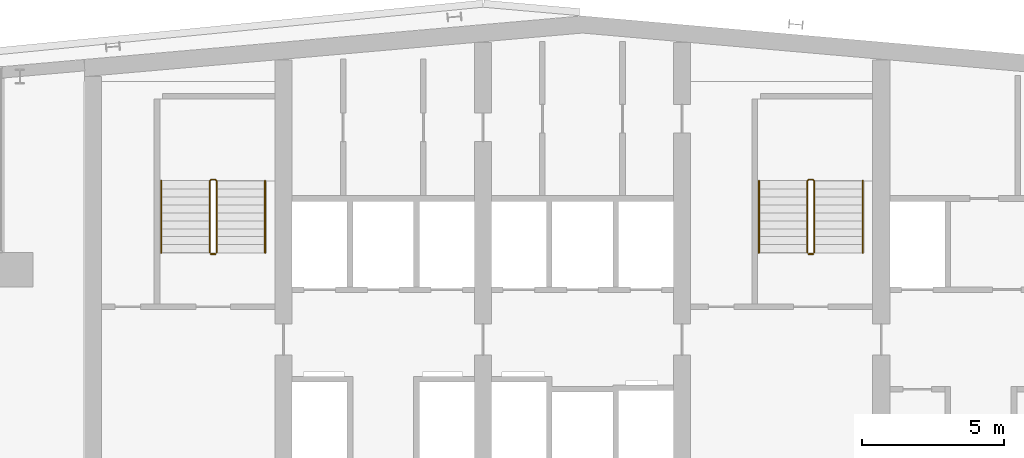
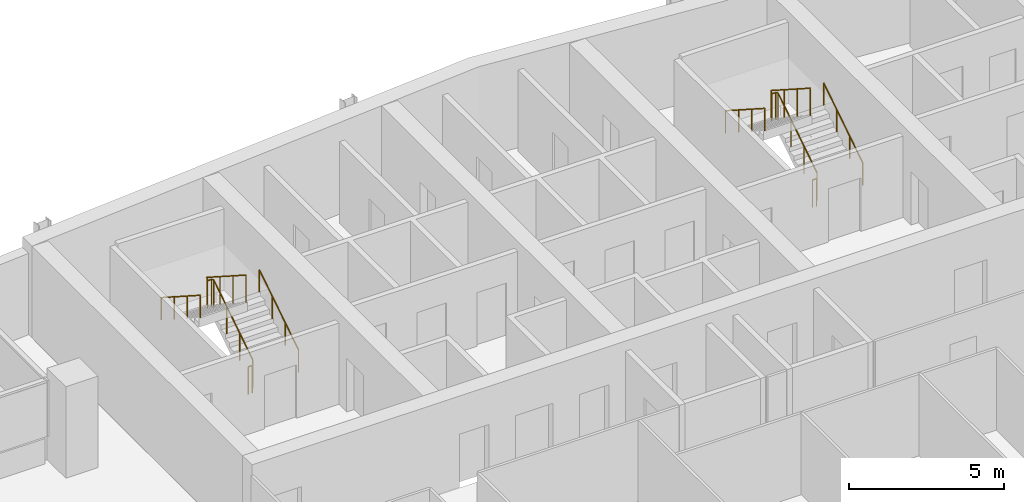
# One storey, part 27 of 27: 8 railings.
"""IFC4 building model written with IfcOpenShell, lengths in metres."""

from ifc_helpers import new_model, si_unit, direction, frame, origin, origin_2d, place, context, subcontext, project, spatial, circle, extrude, material, type_object, element, save


model = new_model("IFC4")

# Units and contexts
model_context = context("Model", 3, precision=1e-05, world=origin(), true_north=direction((0.0, 1.0)))
body_context = subcontext(model_context, "Body", "Model", "MODEL_VIEW")
ifc_project = project(units=[si_unit("LENGTHUNIT", "METRE"), si_unit("AREAUNIT", "SQUARE_METRE"), si_unit("VOLUMEUNIT", "CUBIC_METRE"), si_unit("PLANEANGLEUNIT", "RADIAN"), si_unit("MASSUNIT", "GRAM", prefix="KILO")], contexts=[model_context])

# Site, building, storey
site_placement = place(None, origin())
site = spatial("IfcSite", under=ifc_project, at=site_placement, CompositionType="ELEMENT")
building_placement = place(site_placement, origin())
building = spatial("IfcBuilding", under=site, at=building_placement, Name="Wharfspan Tower", CompositionType="ELEMENT")
storey_placement = place(building_placement, frame((0.0, 0.0, 207.100098)))
storey = spatial("IfcBuildingStorey", under=building, at=storey_placement, Name="L51", CompositionType="ELEMENT", Elevation=207.100098)

# Railings
ifc_material = material(Name="Steel S355J2", Category="steel")
railing_type_1 = type_object("IfcRailingType", Name="Stair guard 1100", PredefinedType="GUARDRAIL", material=ifc_material)
railing_1_placement = place(storey_placement, frame((27.649902, 42.0, 0.179932)))
element("IfcRailing", 1, at=railing_1_placement, inside=storey, type_object=railing_type_1, Name="L51 ST1 stair guard 1", PredefinedType="GUARDRAIL", context=body_context, shape_type="SweptSolid", body=[
    extrude(circle(Radius=0.023926, at=origin_2d()), frame((0.0, 0.0, 1.076172), z_axis=(0.0, 0.8412, 0.540725), x_axis=(-1.0, 0.0, 0.0)), (0.0, 0.0, 1.0), 2.99585),
    extrude(circle(Radius=0.023926, at=origin_2d()), frame((0.0, 2.52002, 2.695801), z_axis=(-0.705376, 0.708834, 0.0), x_axis=(-0.708834, -0.705376, 0.0)), (0.0, 0.0, 1.0), 0.070557),
    extrude(circle(Radius=0.023926, at=origin_2d()), frame((-0.049805, 2.570068, 2.695801), z_axis=(-1.0, 0.0, 0.0), x_axis=(0.0, -1.0, 0.0)), (0.0, 0.0, 1.0), 0.150146),
    extrude(circle(Radius=0.023926, at=origin_2d()), frame((-0.199951, 2.570068, 2.695801), z_axis=(-0.258544, -0.258544, 0.930758), x_axis=(0.707107, -0.707107, 0.0)), (0.0, 0.0, 1.0), 0.193604),
    extrude(circle(Radius=0.023926, at=origin_2d()), frame((-0.25, 2.52002, 2.875977), z_axis=(0.0, -0.8412, 0.540725), x_axis=(1.0, 0.0, 0.0)), (0.0, 0.0, 1.0), 2.99585),
    extrude(circle(Radius=0.020996, at=origin_2d()), origin(), (0.0, 0.0, 1.0), 1.052002),
    extrude(circle(Radius=0.020996, at=origin_2d()), frame((0.0, 0.840088, 0.540039)), (0.0, 0.0, 1.0), 1.052002),
    extrude(circle(Radius=0.020996, at=origin_2d()), frame((0.0, 1.679932, 1.079834)), (0.0, 0.0, 1.0), 1.052002),
    extrude(circle(Radius=0.020996, at=origin_2d()), frame((0.0, 2.52002, 1.619873)), (0.0, 0.0, 1.0), 1.052002),
    extrude(circle(Radius=0.020996, at=origin_2d()), frame((-0.049805, 2.570068, 1.619873)), (0.0, 0.0, 1.0), 1.052002),
    extrude(circle(Radius=0.020996, at=origin_2d()), frame((-0.199951, 2.570068, 1.619873)), (0.0, 0.0, 1.0), 1.052002),
    extrude(circle(Radius=0.020996, at=origin_2d()), frame((-0.25, 2.52002, 1.800049)), (0.0, 0.0, 1.0), 1.052002),
    extrude(circle(Radius=0.020996, at=origin_2d()), frame((-0.25, 1.679932, 2.340088)), (0.0, 0.0, 1.0), 1.052002),
    extrude(circle(Radius=0.020996, at=origin_2d()), frame((-0.25, 0.840088, 2.879883)), (0.0, 0.0, 1.0), 1.052002),
    extrude(circle(Radius=0.020996, at=origin_2d()), frame((-0.25, 0.0, 3.419922)), (0.0, 0.0, 1.0), 1.052002),
])
railing_2_placement = place(storey_placement, frame((27.600098, 41.949951, 0.0)))
element("IfcRailing", 2, at=railing_2_placement, inside=storey, type_object=railing_type_1, Name="L51 ST1 stair guard 2", PredefinedType="GUARDRAIL", context=body_context, shape_type="SweptSolid", body=[
    extrude(circle(Radius=0.023926, at=origin_2d()), frame((0.0, 0.0, 1.076172), z_axis=(-1.0, 0.0, 0.0), x_axis=(0.0, -1.0, 0.0)), (0.0, 0.0, 1.0), 0.150146),
    extrude(circle(Radius=0.020996, at=origin_2d()), origin(), (0.0, 0.0, 1.0), 1.052002),
    extrude(circle(Radius=0.020996, at=origin_2d()), frame((-0.150146, 0.0, 0.0)), (0.0, 0.0, 1.0), 1.052002),
])
railing_3_placement = place(storey_placement, frame((48.649902, 42.0, 0.179932)))
element("IfcRailing", 3, at=railing_3_placement, inside=storey, type_object=railing_type_1, Name="L51 ST2 stair guard 1", PredefinedType="GUARDRAIL", context=body_context, shape_type="SweptSolid", body=[
    extrude(circle(Radius=0.023926, at=origin_2d()), frame((0.0, 0.0, 1.076172), z_axis=(0.0, 0.8412, 0.540725), x_axis=(-1.0, 0.0, 0.0)), (0.0, 0.0, 1.0), 2.99585),
    extrude(circle(Radius=0.023926, at=origin_2d()), frame((0.0, 2.52002, 2.695801), z_axis=(-0.705376, 0.708834, 0.0), x_axis=(-0.708834, -0.705376, 0.0)), (0.0, 0.0, 1.0), 0.070557),
    extrude(circle(Radius=0.023926, at=origin_2d()), frame((-0.049805, 2.570068, 2.695801), z_axis=(-1.0, 0.0, 0.0), x_axis=(0.0, -1.0, 0.0)), (0.0, 0.0, 1.0), 0.150146),
    extrude(circle(Radius=0.023926, at=origin_2d()), frame((-0.199951, 2.570068, 2.695801), z_axis=(-0.258544, -0.258544, 0.930758), x_axis=(0.707107, -0.707107, 0.0)), (0.0, 0.0, 1.0), 0.193604),
    extrude(circle(Radius=0.023926, at=origin_2d()), frame((-0.25, 2.52002, 2.875977), z_axis=(0.0, -0.8412, 0.540725), x_axis=(1.0, 0.0, 0.0)), (0.0, 0.0, 1.0), 2.99585),
    extrude(circle(Radius=0.020996, at=origin_2d()), origin(), (0.0, 0.0, 1.0), 1.052002),
    extrude(circle(Radius=0.020996, at=origin_2d()), frame((0.0, 0.840088, 0.540039)), (0.0, 0.0, 1.0), 1.052002),
    extrude(circle(Radius=0.020996, at=origin_2d()), frame((0.0, 1.679932, 1.079834)), (0.0, 0.0, 1.0), 1.052002),
    extrude(circle(Radius=0.020996, at=origin_2d()), frame((0.0, 2.52002, 1.619873)), (0.0, 0.0, 1.0), 1.052002),
    extrude(circle(Radius=0.020996, at=origin_2d()), frame((-0.049805, 2.570068, 1.619873)), (0.0, 0.0, 1.0), 1.052002),
    extrude(circle(Radius=0.020996, at=origin_2d()), frame((-0.199951, 2.570068, 1.619873)), (0.0, 0.0, 1.0), 1.052002),
    extrude(circle(Radius=0.020996, at=origin_2d()), frame((-0.25, 2.52002, 1.800049)), (0.0, 0.0, 1.0), 1.052002),
    extrude(circle(Radius=0.020996, at=origin_2d()), frame((-0.25, 1.679932, 2.340088)), (0.0, 0.0, 1.0), 1.052002),
    extrude(circle(Radius=0.020996, at=origin_2d()), frame((-0.25, 0.840088, 2.879883)), (0.0, 0.0, 1.0), 1.052002),
    extrude(circle(Radius=0.020996, at=origin_2d()), frame((-0.25, 0.0, 3.419922)), (0.0, 0.0, 1.0), 1.052002),
])
railing_4_placement = place(storey_placement, frame((48.600098, 41.949951, 0.0)))
element("IfcRailing", 4, at=railing_4_placement, inside=storey, type_object=railing_type_1, Name="L51 ST2 stair guard 2", PredefinedType="GUARDRAIL", context=body_context, shape_type="SweptSolid", body=[
    extrude(circle(Radius=0.023926, at=origin_2d()), frame((0.0, 0.0, 1.076172), z_axis=(-1.0, 0.0, 0.0), x_axis=(0.0, -1.0, 0.0)), (0.0, 0.0, 1.0), 0.150146),
    extrude(circle(Radius=0.020996, at=origin_2d()), origin(), (0.0, 0.0, 1.0), 1.052002),
    extrude(circle(Radius=0.020996, at=origin_2d()), frame((-0.150146, 0.0, 0.0)), (0.0, 0.0, 1.0), 1.052002),
])
railing_type_2 = type_object("IfcRailingType", Name="Stair handrail 900", PredefinedType="HANDRAIL", material=ifc_material)
railing_5_placement = place(storey_placement, frame((29.350098, 42.0, 0.179932)))
element("IfcRailing", 5, at=railing_5_placement, inside=storey, type_object=railing_type_2, Name="L51 ST1 stair handrail 1", PredefinedType="HANDRAIL", context=body_context, shape_type="SweptSolid", body=[
    extrude(circle(Radius=0.023926, at=origin_2d()), frame((0.0, 0.0, 0.875977), z_axis=(0.0, 0.8412, 0.540725), x_axis=(-1.0, 0.0, 0.0)), (0.0, 0.0, 1.0), 2.99585),
    extrude(circle(Radius=0.020996, at=origin_2d()), origin(), (0.0, 0.0, 1.0), 0.851807),
    extrude(circle(Radius=0.020996, at=origin_2d()), frame((0.0, 0.840088, 0.540039)), (0.0, 0.0, 1.0), 0.851807),
    extrude(circle(Radius=0.020996, at=origin_2d()), frame((0.0, 1.679932, 1.079834)), (0.0, 0.0, 1.0), 0.851807),
    extrude(circle(Radius=0.020996, at=origin_2d()), frame((0.0, 2.52002, 1.619873)), (0.0, 0.0, 1.0), 0.851807),
])
railing_6_placement = place(storey_placement, frame((25.699951, 44.52002, 1.97998)))
element("IfcRailing", 6, at=railing_6_placement, inside=storey, type_object=railing_type_2, Name="L51 ST1 stair handrail 2", PredefinedType="HANDRAIL", context=body_context, shape_type="SweptSolid", body=[
    extrude(circle(Radius=0.023926, at=origin_2d()), frame((0.0, 0.0, 0.875977), z_axis=(0.0, -0.8412, 0.540725), x_axis=(1.0, 0.0, 0.0)), (0.0, 0.0, 1.0), 2.99585),
    extrude(circle(Radius=0.020996, at=origin_2d()), origin(), (0.0, 0.0, 1.0), 0.851807),
    extrude(circle(Radius=0.020996, at=origin_2d()), frame((0.0, -0.840088, 0.540039)), (0.0, 0.0, 1.0), 0.851807),
    extrude(circle(Radius=0.020996, at=origin_2d()), frame((0.0, -1.679932, 1.079834)), (0.0, 0.0, 1.0), 0.851807),
    extrude(circle(Radius=0.020996, at=origin_2d()), frame((0.0, -2.52002, 1.619873)), (0.0, 0.0, 1.0), 0.851807),
])
railing_7_placement = place(storey_placement, frame((50.350098, 42.0, 0.179932)))
element("IfcRailing", 7, at=railing_7_placement, inside=storey, type_object=railing_type_2, Name="L51 ST2 stair handrail 1", PredefinedType="HANDRAIL", context=body_context, shape_type="SweptSolid", body=[
    extrude(circle(Radius=0.023926, at=origin_2d()), frame((0.0, 0.0, 0.875977), z_axis=(0.0, 0.8412, 0.540725), x_axis=(-1.0, 0.0, 0.0)), (0.0, 0.0, 1.0), 2.99585),
    extrude(circle(Radius=0.020996, at=origin_2d()), origin(), (0.0, 0.0, 1.0), 0.851807),
    extrude(circle(Radius=0.020996, at=origin_2d()), frame((0.0, 0.840088, 0.540039)), (0.0, 0.0, 1.0), 0.851807),
    extrude(circle(Radius=0.020996, at=origin_2d()), frame((0.0, 1.679932, 1.079834)), (0.0, 0.0, 1.0), 0.851807),
    extrude(circle(Radius=0.020996, at=origin_2d()), frame((0.0, 2.52002, 1.619873)), (0.0, 0.0, 1.0), 0.851807),
])
railing_8_placement = place(storey_placement, frame((46.699951, 44.52002, 1.97998)))
element("IfcRailing", 8, at=railing_8_placement, inside=storey, type_object=railing_type_2, Name="L51 ST2 stair handrail 2", PredefinedType="HANDRAIL", context=body_context, shape_type="SweptSolid", body=[
    extrude(circle(Radius=0.023926, at=origin_2d()), frame((0.0, 0.0, 0.875977), z_axis=(0.0, -0.8412, 0.540725), x_axis=(1.0, 0.0, 0.0)), (0.0, 0.0, 1.0), 2.99585),
    extrude(circle(Radius=0.020996, at=origin_2d()), origin(), (0.0, 0.0, 1.0), 0.851807),
    extrude(circle(Radius=0.020996, at=origin_2d()), frame((0.0, -0.840088, 0.540039)), (0.0, 0.0, 1.0), 0.851807),
    extrude(circle(Radius=0.020996, at=origin_2d()), frame((0.0, -1.679932, 1.079834)), (0.0, 0.0, 1.0), 0.851807),
    extrude(circle(Radius=0.020996, at=origin_2d()), frame((0.0, -2.52002, 1.619873)), (0.0, 0.0, 1.0), 0.851807),
])

save(model, "model.ifc")
